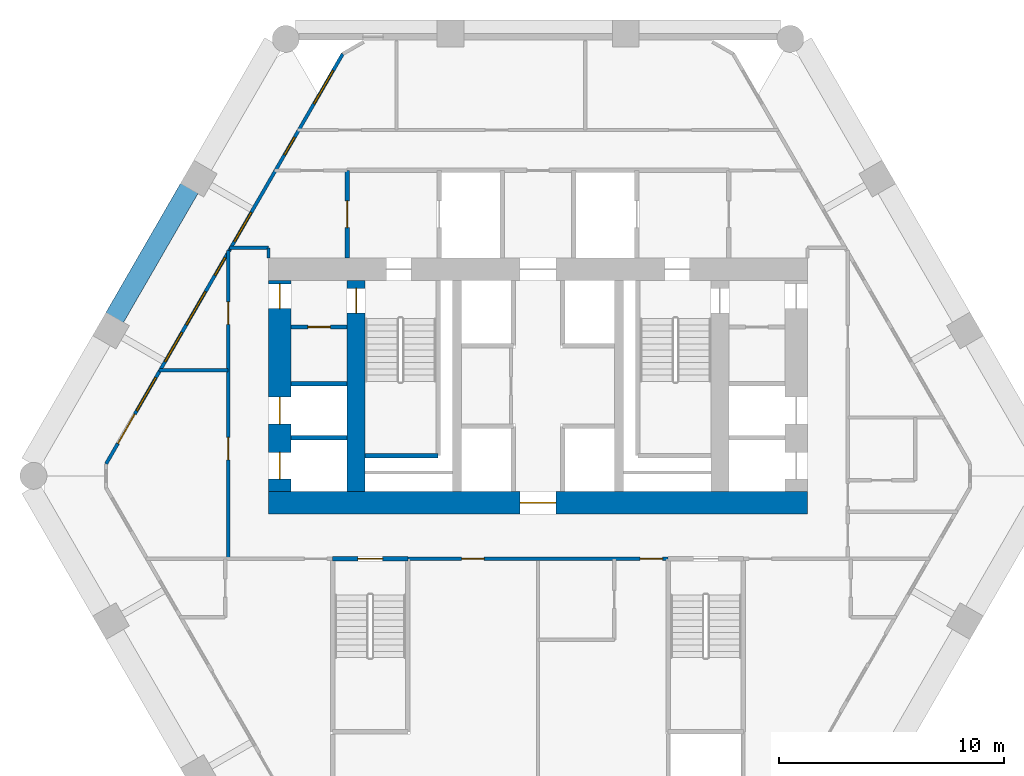
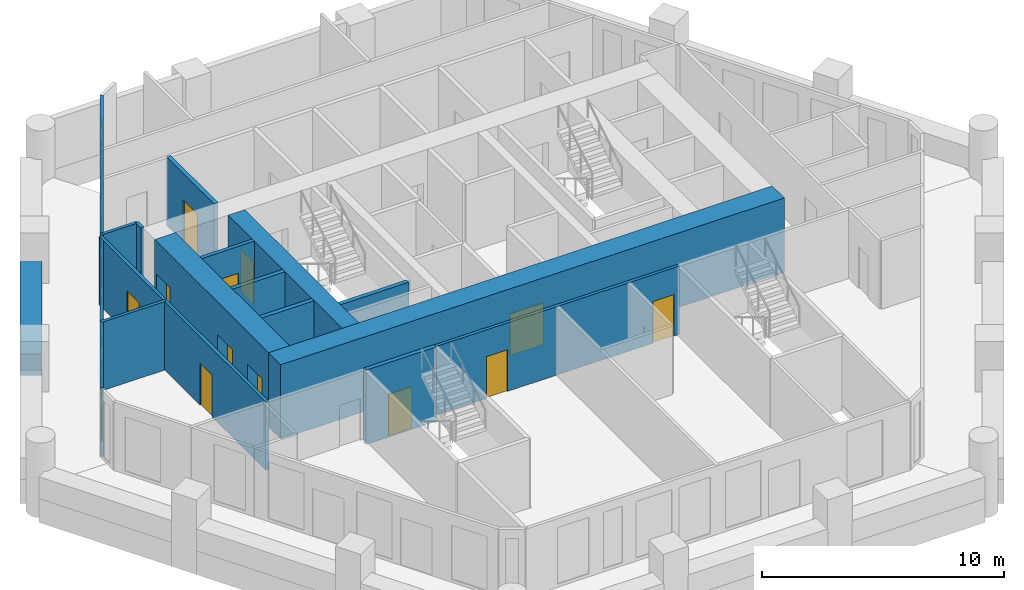
# One storey, part 3 of 7: 16 walls, 13 doors, 7 windows, 20 openings.
"""IFC4 building model written with IfcOpenShell, lengths in metres."""

import ifcopenshell
import ifcopenshell.guid

model = None  # the IFC model being written
_history = None  # IfcOwnerHistory: only IFC2X3 demands one
_inside = {}  # id of a spatial element -> (the spatial element, [elements in it])
_under = {}  # id of a project, library or spatial element -> (it, [spatial elements below it])
_declared = {}  # id of a project -> (the project, [libraries it declares])
_typed = {}  # id of a type object -> (the type object, [elements of that type])
_made_of = {}  # id of a material, layer set ... -> (it, [elements and type objects made of it])


def new_model(schema):
    """Start an empty IFC model of exactly this schema.

    Asked for "IFC4X3", IfcOpenShell would pick the latest addendum, in which some entities
    have other attributes; the version numbers below select the first issue.
    IFC2X3 requires an IfcOwnerHistory on every rooted entity: one is made here for all.
    """
    global model, _history
    if schema == "IFC4X3":
        model = ifcopenshell.file(schema_version=(4, 3, 0, 0))
    else:
        model = ifcopenshell.file(schema=schema)
    _inside.clear()
    _under.clear()
    _declared.clear()
    _typed.clear()
    _made_of.clear()
    _history = None
    if model.schema == "IFC2X3":
        org = make("IfcOrganization", Name="unknown")
        user = make(
            "IfcPersonAndOrganization",
            ThePerson=make("IfcPerson", FamilyName="unknown"),
            TheOrganization=org,
        )
        app = make(
            "IfcApplication",
            ApplicationDeveloper=org,
            Version="unknown",
            ApplicationFullName="unknown",
            ApplicationIdentifier="unknown",
        )
        _history = make(
            "IfcOwnerHistory",
            OwningUser=user,
            OwningApplication=app,
            ChangeAction="ADDED",
            CreationDate=0,
        )
    return model


def make(cls, **values):
    """One entity of the class cls with the attributes given. An attribute that is None is left unset."""
    return model.create_entity(
        cls, **{name: value for name, value in values.items() if value is not None}
    )


def rooted(cls, **values):
    """An entity with a GlobalId (a new one), such as an element, a storey or a relation."""
    return make(cls, GlobalId=ifcopenshell.guid.new(), OwnerHistory=_history, **values)


def si_unit(unit_type, name, prefix=None):
    """IfcSIUnit, for example si_unit("LENGTHUNIT", "METRE", prefix="MILLI")."""
    return make("IfcSIUnit", UnitType=unit_type, Prefix=prefix, Name=name)


def assignment(units):
    """IfcUnitAssignment: the units of a project."""
    return None if units is None else make("IfcUnitAssignment", Units=units)


def point(xyz):
    """IfcCartesianPoint."""
    return None if xyz is None else make("IfcCartesianPoint", Coordinates=xyz)


def direction(xyz):
    """IfcDirection."""
    return None if xyz is None else make("IfcDirection", DirectionRatios=xyz)


def frame(location, z_axis=None, x_axis=None):
    """IfcAxis2Placement3D, a coordinate frame: its origin and axes. An axis left out is left unset."""
    return make(
        "IfcAxis2Placement3D",
        Location=point(location),
        Axis=direction(z_axis),
        RefDirection=direction(x_axis),
    )


def frame_2d(location, x_axis=None):
    """IfcAxis2Placement2D, a coordinate frame in the plane: its origin and x axis."""
    return make(
        "IfcAxis2Placement2D", Location=point(location), RefDirection=direction(x_axis)
    )


def origin():
    """The frame at (0, 0, 0) with its axes left unset."""
    return frame((0.0, 0.0, 0.0))


def place(relative_to, where):
    """IfcLocalPlacement: puts the frame where relative to a parent placement (None: the world)."""
    return make(
        "IfcLocalPlacement", PlacementRelTo=relative_to, RelativePlacement=where
    )


def context(
    kind, dimensions, precision=None, world=None, true_north=None, identifier=None
):
    """IfcGeometricRepresentationContext, for example the 3D "Model" context."""
    return make(
        "IfcGeometricRepresentationContext",
        ContextIdentifier=identifier,
        ContextType=kind,
        CoordinateSpaceDimension=dimensions,
        Precision=precision,
        WorldCoordinateSystem=world,
        TrueNorth=true_north,
    )


def subcontext(parent, identifier, kind, view, scale=None):
    """IfcGeometricRepresentationSubContext, for example "Body" below "Model"."""
    return make(
        "IfcGeometricRepresentationSubContext",
        ContextIdentifier=identifier,
        ContextType=kind,
        ParentContext=parent,
        TargetScale=scale,
        TargetView=view,
    )


def project(units=None, contexts=None):
    """IfcProject with its units and contexts."""
    return rooted(
        "IfcProject",
        Name="project",
        RepresentationContexts=contexts,
        UnitsInContext=assignment(units),
    )


def spatial(cls, under=None, at=None, **own):
    """A site, building, storey or space (cls), placed at a placement, below another one or the project."""
    s = rooted(cls, ObjectPlacement=at, **own)
    if under is not None:
        _under.setdefault(under.id(), (under, []))[1].append(s)
    return s


def profile(cls, at=None, kind="AREA", **sizes):
    """A parametric profile (cls). Its sizes go by their IFC names, for example OverallWidth=200.0."""
    return make(cls, ProfileType=kind, Position=at, **sizes)


def rectangle(**sizes):
    """IfcRectangleProfileDef."""
    return profile("IfcRectangleProfileDef", **sizes)


def extrude(swept, where, along, depth):
    """IfcExtrudedAreaSolid: the profile swept, set in the frame where, extruded along a direction by depth."""
    return make(
        "IfcExtrudedAreaSolid",
        SweptArea=swept,
        Position=where,
        ExtrudedDirection=direction(along),
        Depth=depth,
    )


def shape(context_of_items, identifier, shape_type, items):
    """IfcShapeRepresentation: the items that make up one representation, for example the "Body"."""
    return make(
        "IfcShapeRepresentation",
        ContextOfItems=context_of_items,
        RepresentationIdentifier=identifier,
        RepresentationType=shape_type,
        Items=items,
    )


def material(Name=None, Category=None):
    """IfcMaterial."""
    return make("IfcMaterial", Name=Name, Category=Category)


def layer(
    of_material, thickness, ventilated=None, Name=None, Category=None, Priority=None
):
    """IfcMaterialLayer: one layer of a wall or slab, of a material (None: an air gap)."""
    return make(
        "IfcMaterialLayer",
        Material=of_material,
        LayerThickness=thickness,
        IsVentilated=ventilated,
        Name=Name,
        Category=Category,
        Priority=Priority,
    )


def layer_set(layers, Name=None):
    """IfcMaterialLayerSet."""
    return make("IfcMaterialLayerSet", MaterialLayers=layers, LayerSetName=Name)


def made_of(thing, what):
    """Note that an element or type object is made of a material, layer set ...; save() writes the relation."""
    if what is not None:
        _made_of.setdefault(what.id(), (what, []))[1].append(thing)
    return thing


def type_object(cls, material=None, **own):
    """A type object (cls), such as IfcWallType, which elements share."""
    return made_of(rooted(cls, **own), material)


def element(
    cls,
    number,
    at=None,
    inside=None,
    cuts=None,
    type_object=None,
    material=None,
    context=None,
    identifier="Body",
    shape_type=None,
    held_by="IfcProductDefinitionShape",
    body=None,
    shapes=None,
    **own,
):
    """One element of the class cls, such as IfcWall. Its Tag is "e" and its number.

    at: its placement. inside: the storey or other place that contains it. cuts: it is an
    opening in that element (IfcRelVoidsElement). A single representation is given by context,
    identifier, shape_type and body (its items); several are given by shapes. held_by: the class
    of the entity that holds the representations. save() writes the other relations.
    """
    e = rooted(cls, Tag="e%d" % number, ObjectPlacement=at, **own)
    if body is not None:
        shapes = [shape(context, identifier, shape_type, body)]
    if shapes is not None:
        e.Representation = make(held_by, Representations=shapes)
    if inside is not None:
        _inside.setdefault(inside.id(), (inside, []))[1].append(e)
    if cuts is not None:
        rooted(
            "IfcRelVoidsElement", RelatingBuildingElement=cuts, RelatedOpeningElement=e
        )
    if type_object is not None:
        _typed.setdefault(type_object.id(), (type_object, []))[1].append(e)
    return made_of(e, material)


def fill(opening, filler):
    """IfcRelFillsElement: the door or window that sits in an opening."""
    return rooted(
        "IfcRelFillsElement",
        RelatingOpeningElement=opening,
        RelatedBuildingElement=filler,
    )


def aggregate(whole, parts):
    """IfcRelAggregates: a whole, such as a stair, and the parts it consists of."""
    return rooted("IfcRelAggregates", RelatingObject=whole, RelatedObjects=parts)


def save(model, path):
    """Write the relations noted so far, then the file.

    IfcRelAggregates (storeys below a building ...), IfcRelContainedInSpatialStructure (elements
    in a storey), IfcRelDefinesByType, IfcRelAssociatesMaterial and IfcRelDeclares: one each for
    every whole, place, type object, material and project.
    """
    for whole, parts in _under.values():
        aggregate(whole, parts)
    for where, things in _inside.values():
        rooted(
            "IfcRelContainedInSpatialStructure",
            RelatedElements=things,
            RelatingStructure=where,
        )
    for kind, things in _typed.values():
        rooted("IfcRelDefinesByType", RelatedObjects=things, RelatingType=kind)
    for what, things in _made_of.values():
        rooted("IfcRelAssociatesMaterial", RelatedObjects=things, RelatingMaterial=what)
    for by, libraries in _declared.values():
        rooted("IfcRelDeclares", RelatingContext=by, RelatedDefinitions=libraries)
    model.write(path)


model = new_model("IFC4")

# Units and contexts
model_context = context("Model", 3, precision=1e-05, world=origin(), true_north=direction((0.0, 1.0)))
body_context = subcontext(model_context, "Body", "Model", "MODEL_VIEW")
ifc_project = project(units=[si_unit("LENGTHUNIT", "METRE"), si_unit("AREAUNIT", "SQUARE_METRE"), si_unit("VOLUMEUNIT", "CUBIC_METRE"), si_unit("PLANEANGLEUNIT", "RADIAN"), si_unit("MASSUNIT", "GRAM", prefix="KILO")], contexts=[model_context])

# Site, building, storey
site_placement = place(None, origin())
site = spatial("IfcSite", under=ifc_project, at=site_placement, CompositionType="ELEMENT")
building_placement = place(site_placement, origin())
building = spatial("IfcBuilding", under=site, at=building_placement, Name="Ostrander Bayou Hotel Tower", CompositionType="ELEMENT")
storey_placement = place(building_placement, frame((0.0, 0.0, 89.25)))
storey = spatial("IfcBuildingStorey", under=building, at=storey_placement, Name="L22", CompositionType="ELEMENT", Elevation=89.25)

# Wall, opening, door
ifc_material_1 = material(Name="Concrete f'c 70 MPa", Category="concrete")
ifc_layer_1 = layer(ifc_material_1, 1.0)
ifc_layer_set_1 = layer_set([ifc_layer_1], Name="CW4 core wall 1000 mm f'c 70 MPa")
wall_type_1 = type_object("IfcWallType", Name="CW4 core wall 1000 mm f'c 70 MPa", PredefinedType="SHEAR", material=ifc_layer_set_1)
wall_1_placement = place(storey_placement, frame((-12.0, -1.199951171875, -0.300048828125), z_axis=(0.0, 0.0, 1.0), x_axis=(1.0, 0.0, 0.0)))
wall_1 = element("IfcWall", 1, at=wall_1_placement, inside=storey, type_object=wall_type_1, Name="CW4 L22 S", PredefinedType="SHEAR", context=body_context, shape_type="SweptSolid", body=[
    extrude(rectangle(XDim=24.0, YDim=1.0, at=frame_2d((12.0, 0.0))), origin(), (0.0, 0.0, 1.0), 3.75),
])
opening_1_placement = place(wall_1_placement, frame((11.199951171875, 0.0, 0.0)))
opening_1 = element("IfcOpeningElement", 2, at=opening_1_placement, cuts=wall_1, Name="Opening T21-001", PredefinedType="OPENING", context=body_context, shape_type="SweptSolid", body=[
    extrude(rectangle(XDim=1.60009765625, YDim=2.10009765625, at=frame_2d((0.800048828125, 1.050048828125))), frame((0.0, 0.5, 0.0), z_axis=(0.0, -1.0, 0.0), x_axis=(1.0, 0.0, 0.0)), (0.0, 0.0, 1.0), 1.0),
])
ifc_material_2 = material(Name="Timber door leaf", Category="wood")
door_type_1 = type_object("IfcDoorType", Name="D13 double door 1600 x 2100 mm, 1 hour", OperationType="SINGLE_SWING_LEFT", PredefinedType="DOOR", material=ifc_material_2)
door_1_placement = place(opening_1_placement, origin())
door_1 = element("IfcDoor", 3, at=door_1_placement, inside=storey, type_object=door_type_1, Name="dr:L22:001", OperationType="DOUBLE_DOOR_SINGLE_SWING", OverallHeight=2.10009765625, OverallWidth=1.60009765625, PredefinedType="DOOR", context=body_context, shape_type="SweptSolid", body=[
    extrude(rectangle(XDim=1.60009765625, YDim=2.10009765625, at=frame_2d((0.800048828125, 1.050048828125))), frame((0.0, 0.02490234375, 0.0), z_axis=(0.0, -1.0, 0.0), x_axis=(1.0, 0.0, 0.0)), (0.0, 0.0, 1.0), 0.050048828125),
])
fill(opening_1, door_1)

# Wall, openings, doors
wall_2_placement = place(storey_placement, frame((-11.5, -0.699951171875, -0.300048828125), z_axis=(0.0, 0.0, 1.0), x_axis=(0.0, 1.0, 0.0)))
wall_2 = element("IfcWall", 4, at=wall_2_placement, inside=storey, type_object=wall_type_1, Name="CW4 L22 RW", PredefinedType="SHEAR", context=body_context, shape_type="SweptSolid", body=[
    extrude(rectangle(XDim=9.39990234375, YDim=1.0, at=frame_2d((4.699951171875, 0.0))), origin(), (0.0, 0.0, 1.0), 3.75),
])
opening_2_placement = place(wall_2_placement, frame((8.14990234375, 0.0, 0.0)))
opening_2 = element("IfcOpeningElement", 5, at=opening_2_placement, cuts=wall_2, Name="Opening T21-016", PredefinedType="OPENING", context=body_context, shape_type="SweptSolid", body=[
    extrude(rectangle(XDim=1.10009765625, YDim=2.10009765625, at=frame_2d((0.550048828125, 1.050048828125))), frame((0.0, 0.5, 0.0), z_axis=(0.0, -1.0, 0.0), x_axis=(1.0, 0.0, 0.0)), (0.0, 0.0, 1.0), 1.0),
])
opening_3_placement = place(wall_2_placement, frame((0.550048828125, 0.0, 0.0)))
opening_3 = element("IfcOpeningElement", 6, at=opening_3_placement, cuts=wall_2, Name="Opening T21-017", PredefinedType="OPENING", context=body_context, shape_type="SweptSolid", body=[
    extrude(rectangle(XDim=1.199951171875, YDim=2.10009765625, at=frame_2d((0.60009765625, 1.050048828125))), frame((0.0, 0.5, 0.0), z_axis=(0.0, -1.0, 0.0), x_axis=(1.0, 0.0, 0.0)), (0.0, 0.0, 1.0), 1.0),
])
opening_4_placement = place(wall_2_placement, frame((3.0, 0.0, 0.0)))
opening_4 = element("IfcOpeningElement", 7, at=opening_4_placement, cuts=wall_2, Name="Opening T21-018", PredefinedType="OPENING", context=body_context, shape_type="SweptSolid", body=[
    extrude(rectangle(XDim=1.199951171875, YDim=2.10009765625, at=frame_2d((0.60009765625, 1.050048828125))), frame((0.0, 0.5, 0.0), z_axis=(0.0, -1.0, 0.0), x_axis=(1.0, 0.0, 0.0)), (0.0, 0.0, 1.0), 1.0),
])
ifc_material_3 = material(Name="Timber door leaf", Category="wood")
door_type_2 = type_object("IfcDoorType", Name="D5 stair door 1100 x 2100 mm, 90 minute", OperationType="SINGLE_SWING_LEFT", PredefinedType="DOOR", material=ifc_material_3)
door_2_placement = place(opening_2_placement, origin())
door_2 = element("IfcDoor", 8, at=door_2_placement, inside=storey, type_object=door_type_2, Name="dr:L22:016", OperationType="SINGLE_SWING_LEFT", OverallHeight=2.10009765625, OverallWidth=1.10009765625, PredefinedType="DOOR", context=body_context, shape_type="SweptSolid", body=[
    extrude(rectangle(XDim=1.10009765625, YDim=2.10009765625, at=frame_2d((0.550048828125, 1.050048828125))), frame((0.0, 0.02490234375, 0.0), z_axis=(0.0, -1.0, 0.0), x_axis=(1.0, 0.0, 0.0)), (0.0, 0.0, 1.0), 0.050048828125),
])
fill(opening_2, door_2)
ifc_material_4 = material(Name="Stainless steel sliding door", Category="steel")
door_type_3 = type_object("IfcDoorType", Name="LD1 lift landing door 1200 x 2100 mm", OperationType="SINGLE_SWING_LEFT", PredefinedType="DOOR", material=ifc_material_4)
door_3_placement = place(opening_3_placement, origin())
door_3 = element("IfcDoor", 9, at=door_3_placement, inside=storey, type_object=door_type_3, Name="dr:L22:017", OperationType="SLIDING_TO_LEFT", OverallHeight=2.10009765625, OverallWidth=1.199951171875, PredefinedType="DOOR", context=body_context, shape_type="SweptSolid", body=[
    extrude(rectangle(XDim=1.199951171875, YDim=2.10009765625, at=frame_2d((0.60009765625, 1.050048828125))), frame((0.0, 0.02490234375, 0.0), z_axis=(0.0, -1.0, 0.0), x_axis=(1.0, 0.0, 0.0)), (0.0, 0.0, 1.0), 0.050048828125),
])
fill(opening_3, door_3)
door_4_placement = place(opening_4_placement, origin())
door_4 = element("IfcDoor", 10, at=door_4_placement, inside=storey, type_object=door_type_3, Name="dr:L22:018", OperationType="SLIDING_TO_LEFT", OverallHeight=2.10009765625, OverallWidth=1.199951171875, PredefinedType="DOOR", context=body_context, shape_type="SweptSolid", body=[
    extrude(rectangle(XDim=1.199951171875, YDim=2.10009765625, at=frame_2d((0.60009765625, 1.050048828125))), frame((0.0, 0.02490234375, 0.0), z_axis=(0.0, -1.0, 0.0), x_axis=(1.0, 0.0, 0.0)), (0.0, 0.0, 1.0), 0.050048828125),
])
fill(opening_4, door_4)

# Wall, opening, door
ifc_material_5 = material(Name="Concrete f'c 70 MPa", Category="concrete")
ifc_layer_2 = layer(ifc_material_5, 0.800048828125)
ifc_layer_set_2 = layer_set([ifc_layer_2], Name="CW5 core spine wall 800 mm f'c 70 MPa")
wall_type_2 = type_object("IfcWallType", Name="CW5 core spine wall 800 mm f'c 70 MPa", PredefinedType="SHEAR", material=ifc_layer_set_2)
wall_3_placement = place(storey_placement, frame((-8.10009765625, -0.699951171875, -0.300048828125), z_axis=(0.0, 0.0, 1.0), x_axis=(0.0, 1.0, 0.0)))
wall_3 = element("IfcWall", 11, at=wall_3_placement, inside=storey, type_object=wall_type_2, Name="CW5 L22 W", PredefinedType="SHEAR", context=body_context, shape_type="SweptSolid", body=[
    extrude(rectangle(XDim=9.39990234375, YDim=0.800048828125, at=frame_2d((4.699951171875, 0.0))), origin(), (0.0, 0.0, 1.0), 3.75),
])
opening_5_placement = place(wall_3_placement, frame((7.949951171875, 0.0, 0.0)))
opening_5 = element("IfcOpeningElement", 12, at=opening_5_placement, cuts=wall_3, Name="Opening T21-004", PredefinedType="OPENING", context=body_context, shape_type="SweptSolid", body=[
    extrude(rectangle(XDim=1.10009765625, YDim=2.10009765625, at=frame_2d((0.550048828125, 1.050048828125))), frame((0.0, 0.39990234375, 0.0), z_axis=(0.0, -1.0, 0.0), x_axis=(1.0, 0.0, 0.0)), (0.0, 0.0, 1.0), 0.800048828125),
])
door_5_placement = place(opening_5_placement, origin())
door_5 = element("IfcDoor", 13, at=door_5_placement, inside=storey, type_object=door_type_2, Name="dr:L22:004", OperationType="SINGLE_SWING_RIGHT", OverallHeight=2.10009765625, OverallWidth=1.10009765625, PredefinedType="DOOR", context=body_context, shape_type="SweptSolid", body=[
    extrude(rectangle(XDim=1.10009765625, YDim=2.10009765625, at=frame_2d((0.550048828125, 1.050048828125))), frame((0.0, 0.02490234375, 0.0), z_axis=(0.0, -1.0, 0.0), x_axis=(1.0, 0.0, 0.0)), (0.0, 0.0, 1.0), 0.050048828125),
])
fill(opening_5, door_5)

# Wall, openings, door, windows
ifc_material_6 = material(Name="Aluminium framed insulated wall", Category="aluminium")
ifc_layer_3 = layer(ifc_material_6, 0.14990234375)
ifc_layer_set_3 = layer_set([ifc_layer_3], Name="GW1 glass-line wall 150 mm")
wall_type_3 = type_object("IfcWallType", Name="GW1 glass-line wall 150 mm", PredefinedType="SOLIDWALL", material=ifc_layer_set_3)
wall_4_placement = place(storey_placement, frame((-8.693603515625, 18.79248046875, 0.0), z_axis=(0.0, 0.0, 1.0), x_axis=(-0.49999341138, -0.866029207692, 0.0)))
wall_4 = element("IfcWall", 14, at=wall_4_placement, inside=storey, type_object=wall_type_3, Name="GW1 L22 NW 1", PredefinedType="SOLIDWALL", context=body_context, shape_type="SweptSolid", body=[
    extrude(rectangle(XDim=21.084716796875, YDim=0.14990234375, at=frame_2d((10.54248046875, 0.0))), origin(), (0.0, 0.0, 1.0), 3.449951171875),
])
opening_6_placement = place(wall_4_placement, frame((4.293212890625, 0.0, 0.14990234375)))
opening_6 = element("IfcOpeningElement", 15, at=opening_6_placement, cuts=wall_4, Name="Opening W16", PredefinedType="OPENING", context=body_context, shape_type="SweptSolid", body=[
    extrude(rectangle(XDim=0.89990234375, YDim=2.85009765625, at=frame_2d((0.449951171875, 1.425048828125))), frame((0.0, 0.074951171875, 0.0), z_axis=(0.0, -1.0, 0.0), x_axis=(1.0, 0.0, 0.0)), (0.0, 0.0, 1.0), 0.14990234375),
])
opening_7_placement = place(wall_4_placement, frame((10.48486328125, 0.0, 0.14990234375)))
opening_7 = element("IfcOpeningElement", 16, at=opening_7_placement, cuts=wall_4, Name="Opening W16", PredefinedType="OPENING", context=body_context, shape_type="SweptSolid", body=[
    extrude(rectangle(XDim=0.89990234375, YDim=2.85009765625, at=frame_2d((0.449951171875, 1.425048828125))), frame((0.0, 0.074951171875, 0.0), z_axis=(0.0, -1.0, 0.0), x_axis=(1.0, 0.0, 0.0)), (0.0, 0.0, 1.0), 0.14990234375),
])
opening_8_placement = place(wall_4_placement, frame((8.155517578125, 0.0, 0.14990234375)))
opening_8 = element("IfcOpeningElement", 17, at=opening_8_placement, cuts=wall_4, Name="Opening W12", PredefinedType="OPENING", context=body_context, shape_type="SweptSolid", body=[
    extrude(rectangle(XDim=1.5, YDim=2.85009765625, at=frame_2d((0.75, 1.425048828125))), frame((0.0, 0.074951171875, 0.0), z_axis=(0.0, -1.0, 0.0), x_axis=(1.0, 0.0, 0.0)), (0.0, 0.0, 1.0), 0.14990234375),
])
opening_9_placement = place(wall_4_placement, frame((12.22802734375, 0.0, 0.14990234375)))
opening_9 = element("IfcOpeningElement", 18, at=opening_9_placement, cuts=wall_4, Name="Opening W2", PredefinedType="OPENING", context=body_context, shape_type="SweptSolid", body=[
    extrude(rectangle(XDim=1.699951171875, YDim=2.85009765625, at=frame_2d((0.85009765625, 1.425048828125))), frame((0.0, 0.074951171875, 0.0), z_axis=(0.0, -1.0, 0.0), x_axis=(1.0, 0.0, 0.0)), (0.0, 0.0, 1.0), 0.14990234375),
])
opening_10_placement = place(wall_4_placement, frame((14.328125, 0.0, 0.14990234375)))
opening_10 = element("IfcOpeningElement", 19, at=opening_10_placement, cuts=wall_4, Name="Opening W12", PredefinedType="OPENING", context=body_context, shape_type="SweptSolid", body=[
    extrude(rectangle(XDim=1.5, YDim=2.85009765625, at=frame_2d((0.75, 1.425048828125))), frame((0.0, 0.074951171875, 0.0), z_axis=(0.0, -1.0, 0.0), x_axis=(1.0, 0.0, 0.0)), (0.0, 0.0, 1.0), 0.14990234375),
])
opening_11_placement = place(wall_4_placement, frame((16.648681640625, 0.0, 0.14990234375)))
opening_11 = element("IfcOpeningElement", 20, at=opening_11_placement, cuts=wall_4, Name="Opening W2", PredefinedType="OPENING", context=body_context, shape_type="SweptSolid", body=[
    extrude(rectangle(XDim=1.699951171875, YDim=2.85009765625, at=frame_2d((0.85009765625, 1.425048828125))), frame((0.0, 0.074951171875, 0.0), z_axis=(0.0, -1.0, 0.0), x_axis=(1.0, 0.0, 0.0)), (0.0, 0.0, 1.0), 0.14990234375),
])
opening_12_placement = place(wall_4_placement, frame((18.528076171875, 0.0, 0.0)))
opening_12 = element("IfcOpeningElement", 21, at=opening_12_placement, cuts=wall_4, Name="Opening T21-800", PredefinedType="OPENING", context=body_context, shape_type="SweptSolid", body=[
    extrude(rectangle(XDim=1.5, YDim=2.39990234375, at=frame_2d((0.75, 1.199951171875))), frame((0.0, 0.074951171875, 0.0), z_axis=(0.0, -1.0, 0.0), x_axis=(1.0, 0.0, 0.0)), (0.0, 0.0, 1.0), 0.14990234375),
])
opening_13_placement = place(wall_4_placement, frame((0.864013671875, 0.0, 0.14990234375)))
opening_13 = element("IfcOpeningElement", 22, at=opening_13_placement, cuts=wall_4, Name="Opening W2", PredefinedType="OPENING", context=body_context, shape_type="SweptSolid", body=[
    extrude(rectangle(XDim=1.699951171875, YDim=2.72998046875, at=frame_2d((0.85009765625, 1.364990234375))), frame((0.0, 0.074951171875, 0.0), z_axis=(0.0, -1.0, 0.0), x_axis=(1.0, 0.0, 0.0)), (0.0, 0.0, 1.0), 0.14990234375),
])
ifc_material_7 = material(Name="Aluminium and clear glass", Category="aluminium")
door_type_4 = type_object("IfcDoorType", Name="SD2 sliding glass door 1500 mm, zone 2", OperationType="SLIDING_TO_LEFT", PredefinedType="DOOR", material=ifc_material_7)
door_6_placement = place(opening_12_placement, origin())
door_6 = element("IfcDoor", 23, at=door_6_placement, inside=storey, type_object=door_type_4, Name="SD2 L22 NW 4", OperationType="SLIDING_TO_RIGHT", OverallHeight=2.39990234375, OverallWidth=1.5, PredefinedType="DOOR", context=body_context, shape_type="SweptSolid", body=[
    extrude(rectangle(XDim=1.5, YDim=2.39990234375, at=frame_2d((0.75, 1.199951171875))), frame((0.0, 0.02490234375, 0.0), z_axis=(0.0, -1.0, 0.0), x_axis=(1.0, 0.0, 0.0)), (0.0, 0.0, 1.0), 0.050048828125),
])
fill(opening_12, door_6)
ifc_material_8 = material(Name="Aluminium and clear glass", Category="aluminium")
window_type_1 = type_object("IfcWindowType", Name="W12 fixed window 1500 mm, bath bay, zone 2", PartitioningType="SINGLE_PANEL", PredefinedType="WINDOW", material=ifc_material_8)
window_1_placement = place(opening_8_placement, origin())
window_1 = element("IfcWindow", 24, at=window_1_placement, inside=storey, type_object=window_type_1, Name="W12 L22 NW 2", OverallHeight=2.85009765625, OverallWidth=1.5, PartitioningType="SINGLE_PANEL", PredefinedType="WINDOW", context=body_context, shape_type="SweptSolid", body=[
    extrude(rectangle(XDim=1.5, YDim=2.85009765625, at=frame_2d((0.75, 1.425048828125))), frame((0.0, 0.030029296875, 0.0), z_axis=(0.0, -1.0, 0.0), x_axis=(1.0, 0.0, 0.0)), (0.0, 0.0, 1.0), 0.06005859375),
])
fill(opening_8, window_1)
window_2_placement = place(opening_10_placement, origin())
window_2 = element("IfcWindow", 25, at=window_2_placement, inside=storey, type_object=window_type_1, Name="W12 L22 NW 3", OverallHeight=2.85009765625, OverallWidth=1.5, PartitioningType="SINGLE_PANEL", PredefinedType="WINDOW", context=body_context, shape_type="SweptSolid", body=[
    extrude(rectangle(XDim=1.5, YDim=2.85009765625, at=frame_2d((0.75, 1.425048828125))), frame((0.0, 0.030029296875, 0.0), z_axis=(0.0, -1.0, 0.0), x_axis=(1.0, 0.0, 0.0)), (0.0, 0.0, 1.0), 0.06005859375),
])
fill(opening_10, window_2)
ifc_material_9 = material(Name="Aluminium and clear glass", Category="aluminium")
window_type_2 = type_object("IfcWindowType", Name="W16 window 900 mm, zone 2", PartitioningType="SINGLE_PANEL", PredefinedType="WINDOW", material=ifc_material_9)
window_3_placement = place(opening_6_placement, origin())
window_3 = element("IfcWindow", 26, at=window_3_placement, inside=storey, type_object=window_type_2, Name="W16 L22 NW 1", OverallHeight=2.85009765625, OverallWidth=0.89990234375, PartitioningType="SINGLE_PANEL", PredefinedType="WINDOW", context=body_context, shape_type="SweptSolid", body=[
    extrude(rectangle(XDim=0.89990234375, YDim=2.85009765625, at=frame_2d((0.449951171875, 1.425048828125))), frame((0.0, 0.030029296875, 0.0), z_axis=(0.0, -1.0, 0.0), x_axis=(1.0, 0.0, 0.0)), (0.0, 0.0, 1.0), 0.06005859375),
])
fill(opening_6, window_3)
window_4_placement = place(opening_7_placement, origin())
window_4 = element("IfcWindow", 27, at=window_4_placement, inside=storey, type_object=window_type_2, Name="W16 L22 NW 2", OverallHeight=2.85009765625, OverallWidth=0.89990234375, PartitioningType="SINGLE_PANEL", PredefinedType="WINDOW", context=body_context, shape_type="SweptSolid", body=[
    extrude(rectangle(XDim=0.89990234375, YDim=2.85009765625, at=frame_2d((0.449951171875, 1.425048828125))), frame((0.0, 0.030029296875, 0.0), z_axis=(0.0, -1.0, 0.0), x_axis=(1.0, 0.0, 0.0)), (0.0, 0.0, 1.0), 0.06005859375),
])
fill(opening_7, window_4)
ifc_material_10 = material(Name="Aluminium and clear glass", Category="aluminium")
window_type_3 = type_object("IfcWindowType", Name="W2 fixed window 1700 mm, zone 2", PartitioningType="SINGLE_PANEL", PredefinedType="WINDOW", material=ifc_material_10)
window_5_placement = place(opening_9_placement, origin())
window_5 = element("IfcWindow", 28, at=window_5_placement, inside=storey, type_object=window_type_3, Name="W2 L22 NW 3", OverallHeight=2.85009765625, OverallWidth=1.699951171875, PartitioningType="SINGLE_PANEL", PredefinedType="WINDOW", context=body_context, shape_type="SweptSolid", body=[
    extrude(rectangle(XDim=1.699951171875, YDim=2.85009765625, at=frame_2d((0.85009765625, 1.425048828125))), frame((0.0, 0.030029296875, 0.0), z_axis=(0.0, -1.0, 0.0), x_axis=(1.0, 0.0, 0.0)), (0.0, 0.0, 1.0), 0.06005859375),
])
fill(opening_9, window_5)
window_6_placement = place(opening_11_placement, origin())
window_6 = element("IfcWindow", 29, at=window_6_placement, inside=storey, type_object=window_type_3, Name="W2 L22 NW 4", OverallHeight=2.85009765625, OverallWidth=1.699951171875, PartitioningType="SINGLE_PANEL", PredefinedType="WINDOW", context=body_context, shape_type="SweptSolid", body=[
    extrude(rectangle(XDim=1.699951171875, YDim=2.85009765625, at=frame_2d((0.85009765625, 1.425048828125))), frame((0.0, 0.030029296875, 0.0), z_axis=(0.0, -1.0, 0.0), x_axis=(1.0, 0.0, 0.0)), (0.0, 0.0, 1.0), 0.06005859375),
])
fill(opening_11, window_6)
window_7_placement = place(opening_13_placement, origin())
window_7 = element("IfcWindow", 30, at=window_7_placement, inside=storey, type_object=window_type_3, Name="W2 L22 NW E11", OverallHeight=2.72998046875, OverallWidth=1.699951171875, PartitioningType="SINGLE_PANEL", PredefinedType="WINDOW", context=body_context, shape_type="SweptSolid", body=[
    extrude(rectangle(XDim=1.699951171875, YDim=2.72998046875, at=frame_2d((0.85009765625, 1.364990234375))), frame((0.0, 0.030029296875, 0.0), z_axis=(0.0, -1.0, 0.0), x_axis=(1.0, 0.0, 0.0)), (0.0, 0.0, 1.0), 0.06005859375),
])
fill(opening_13, window_7)

# Wall
ifc_material_11 = material(Name="Concrete f'c 40 MPa", Category="concrete")
ifc_layer_4 = layer(ifc_material_11, 0.89990234375)
ifc_layer_set_4 = layer_set([ifc_layer_4], Name="PA1 stone-faced parapet 900 mm")
wall_type_4 = type_object("IfcWallType", Name="PA1 stone-faced parapet 900 mm", PredefinedType="PARAPET", material=ifc_layer_set_4)
wall_5_placement = place(storey_placement, frame((-15.522216796875, 12.814697265625, 0.0), z_axis=(0.0, 0.0, 1.0), x_axis=(-0.499999023957, -0.866025967302, 0.0)))
element("IfcWall", 31, at=wall_5_placement, inside=storey, type_object=wall_type_4, Name="PA1 L22 NW-2", PredefinedType="PARAPET", context=body_context, shape_type="SweptSolid", body=[
    extrude(rectangle(XDim=6.67333984375, YDim=0.89990234375, at=frame_2d((3.336669921875, 0.0))), origin(), (0.0, 0.0, 1.0), 1.10009765625),
])

# Wall, opening, door
ifc_material_12 = material(Name="Gypsum board partition", Category="finish")
ifc_layer_5 = layer(ifc_material_12, 0.175048828125)
ifc_layer_set_5 = layer_set([ifc_layer_5], Name="PT4 corridor wall 175 mm, 1 hour")
wall_type_5 = type_object("IfcWallType", Name="PT4 corridor wall 175 mm, 1 hour", PredefinedType="PARTITIONING", material=ifc_layer_set_5)
wall_6_placement = place(storey_placement, frame((-11.0, 6.6298828125, 0.0), z_axis=(0.0, 0.0, 1.0), x_axis=(1.0, 0.0, 0.0)))
wall_6 = element("IfcWall", 32, at=wall_6_placement, inside=storey, type_object=wall_type_5, Name="cs:L22:035", PredefinedType="PARTITIONING", context=body_context, shape_type="SweptSolid", body=[
    extrude(rectangle(XDim=2.5, YDim=0.175048828125, at=frame_2d((1.25, 0.0))), origin(), (0.0, 0.0, 1.0), 3.449951171875),
])
opening_14_placement = place(wall_6_placement, frame((0.75, 0.0, 0.0)))
opening_14 = element("IfcOpeningElement", 33, at=opening_14_placement, cuts=wall_6, Name="Opening T21-015", PredefinedType="OPENING", context=body_context, shape_type="SweptSolid", body=[
    extrude(rectangle(XDim=1.0, YDim=2.10009765625, at=frame_2d((0.5, 1.050048828125))), frame((0.0, 0.08740234375, 0.0), z_axis=(0.0, -1.0, 0.0), x_axis=(1.0, 0.0, 0.0)), (0.0, 0.0, 1.0), 0.175048828125),
])
ifc_material_13 = material(Name="Timber door leaf", Category="wood")
door_type_5 = type_object("IfcDoorType", Name="D4 corridor door 1000 x 2100 mm, 1 hour", OperationType="SINGLE_SWING_LEFT", PredefinedType="DOOR", material=ifc_material_13)
door_7_placement = place(opening_14_placement, origin())
door_7 = element("IfcDoor", 34, at=door_7_placement, inside=storey, type_object=door_type_5, Name="dr:L22:015", OperationType="SINGLE_SWING_LEFT", OverallHeight=2.10009765625, OverallWidth=1.0, PredefinedType="DOOR", context=body_context, shape_type="SweptSolid", body=[
    extrude(rectangle(XDim=1.0, YDim=2.10009765625, at=frame_2d((0.5, 1.050048828125))), frame((0.0, 0.02490234375, 0.0), z_axis=(0.0, -1.0, 0.0), x_axis=(1.0, 0.0, 0.0)), (0.0, 0.0, 1.0), 0.050048828125),
])
fill(opening_14, door_7)

ifc_material_14 = material(Name="Masonry block", Category="masonry")
ifc_layer_6 = layer(ifc_material_14, 0.199951171875)
ifc_layer_set_6 = layer_set([ifc_layer_6], Name="PT5 stair enclosure wall 200 mm masonry, 2 hour")
wall_type_6 = type_object("IfcWallType", Name="PT5 stair enclosure wall 200 mm masonry, 2 hour", PredefinedType="PARTITIONING", material=ifc_layer_set_6)
wall_7_placement = place(storey_placement, frame((-8.5, 9.699951171875, 0.0), z_axis=(0.0, 0.0, 1.0), x_axis=(0.0, 1.0, 0.0)))
wall_7 = element("IfcWall", 35, at=wall_7_placement, inside=storey, type_object=wall_type_6, Name="cs:L22:026", PredefinedType="PARTITIONING", context=body_context, shape_type="SweptSolid", body=[
    extrude(rectangle(XDim=3.900146484375, YDim=0.199951171875, at=frame_2d((1.9501953125, 0.0))), origin(), (0.0, 0.0, 1.0), 3.449951171875),
])
opening_15_placement = place(wall_7_placement, frame((1.35009765625, 0.0, 0.0)))
opening_15 = element("IfcOpeningElement", 36, at=opening_15_placement, cuts=wall_7, Name="Opening T21-010", PredefinedType="OPENING", context=body_context, shape_type="SweptSolid", body=[
    extrude(rectangle(XDim=1.199951171875, YDim=2.10009765625, at=frame_2d((0.60009765625, 1.050048828125))), frame((0.0, 0.10009765625, 0.0), z_axis=(0.0, -1.0, 0.0), x_axis=(1.0, 0.0, 0.0)), (0.0, 0.0, 1.0), 0.199951171875),
])
ifc_material_15 = material(Name="Timber door leaf", Category="wood")
door_type_6 = type_object("IfcDoorType", Name="D7 lobby door 1200 x 2100 mm, 1 hour", OperationType="SINGLE_SWING_LEFT", PredefinedType="DOOR", material=ifc_material_15)
door_8_placement = place(opening_15_placement, origin())
door_8 = element("IfcDoor", 37, at=door_8_placement, inside=storey, type_object=door_type_6, Name="dr:L22:010", OperationType="SINGLE_SWING_LEFT", OverallHeight=2.10009765625, OverallWidth=1.199951171875, PredefinedType="DOOR", context=body_context, shape_type="SweptSolid", body=[
    extrude(rectangle(XDim=1.199951171875, YDim=2.10009765625, at=frame_2d((0.60009765625, 1.050048828125))), frame((0.0, 0.02490234375, 0.0), z_axis=(0.0, -1.0, 0.0), x_axis=(1.0, 0.0, 0.0)), (0.0, 0.0, 1.0), 0.050048828125),
])
fill(opening_15, door_8)

# Walls
ifc_material_16 = material(Name="Masonry block", Category="masonry")
ifc_layer_7 = layer(ifc_material_16, 0.199951171875)
ifc_layer_set_7 = layer_set([ifc_layer_7], Name="PT6 lift shaft wall 200 mm masonry, 2 hour")
wall_type_7 = type_object("IfcWallType", Name="PT6 lift shaft wall 200 mm masonry, 2 hour", PredefinedType="PARTITIONING", material=ifc_layer_set_7)
for number, where, z_axis, x_axis, name in (
    (38, (-11.0, 1.699951171875, 0.0), (0.0, 0.0, 1.0), (1.0, 0.0, 0.0), "cs:L22:033"),
    (39, (-11.0, 4.10009765625, 0.0), (0.0, 0.0, 1.0), (1.0, 0.0, 0.0), "cs:L22:034"),
):
    element("IfcWall", number, at=place(storey_placement, frame(where, z_axis=z_axis, x_axis=x_axis)), inside=storey, type_object=wall_type_7, Name=name, PredefinedType="PARTITIONING", context=body_context, shape_type="SweptSolid", body=[
        extrude(rectangle(XDim=2.5, YDim=0.199951171875, at=frame_2d((1.25, 0.0))), origin(), (0.0, 0.0, 1.0), 3.449951171875),
    ])

# Wall, openings, doors
ifc_material_17 = material(Name="Gypsum board partition", Category="finish")
ifc_layer_8 = layer(ifc_material_17, 0.14990234375)
ifc_layer_set_8 = layer_set([ifc_layer_8], Name="PT8 service band wall 150 mm, 1 hour")
wall_type_8 = type_object("IfcWallType", Name="PT8 service band wall 150 mm, 1 hour", PredefinedType="PARTITIONING", material=ifc_layer_set_8)
wall_8_placement = place(storey_placement, frame((-5.7900390625, -3.699951171875, 0.0), z_axis=(0.0, 0.0, 1.0), x_axis=(1.0, 0.0, 0.0)))
wall_8 = element("IfcWall", 40, at=wall_8_placement, inside=storey, type_object=wall_type_8, Name="gw:L22:005", PredefinedType="PARTITIONING", context=body_context, shape_type="SweptSolid", body=[
    extrude(rectangle(XDim=11.580078125, YDim=0.14990234375, at=frame_2d((5.7900390625, 0.0))), origin(), (0.0, 0.0, 1.0), 3.449951171875),
])
opening_16_placement = place(wall_8_placement, frame((2.389892578125, 0.0, 0.0)))
opening_16 = element("IfcOpeningElement", 41, at=opening_16_placement, cuts=wall_8, Name="Opening T21-400", PredefinedType="OPENING", context=body_context, shape_type="SweptSolid", body=[
    extrude(rectangle(XDim=1.0, YDim=2.10009765625, at=frame_2d((0.5, 1.050048828125))), frame((0.0, 0.074951171875, 0.0), z_axis=(0.0, -1.0, 0.0), x_axis=(1.0, 0.0, 0.0)), (0.0, 0.0, 1.0), 0.14990234375),
])
opening_17_placement = place(wall_8_placement, frame((10.340087890625, 0.0, 0.0)))
opening_17 = element("IfcOpeningElement", 42, at=opening_17_placement, cuts=wall_8, Name="Opening T21-403", PredefinedType="OPENING", context=body_context, shape_type="SweptSolid", body=[
    extrude(rectangle(XDim=1.0, YDim=2.10009765625, at=frame_2d((0.5, 1.050048828125))), frame((0.0, 0.074951171875, 0.0), z_axis=(0.0, -1.0, 0.0), x_axis=(1.0, 0.0, 0.0)), (0.0, 0.0, 1.0), 0.14990234375),
])
ifc_material_18 = material(Name="Timber door leaf", Category="wood")
door_type_7 = type_object("IfcDoorType", Name="D1 guest room door 1000 x 2100 mm, 30 minute", OperationType="SINGLE_SWING_LEFT", PredefinedType="DOOR", material=ifc_material_18)
door_9_placement = place(opening_17_placement, origin())
door_9 = element("IfcDoor", 43, at=door_9_placement, inside=storey, type_object=door_type_7, Name="dr:L22:403", OperationType="SINGLE_SWING_RIGHT", OverallHeight=2.10009765625, OverallWidth=1.0, PredefinedType="DOOR", context=body_context, shape_type="SweptSolid", body=[
    extrude(rectangle(XDim=1.0, YDim=2.10009765625, at=frame_2d((0.5, 1.050048828125))), frame((0.0, 0.02490234375, 0.0), z_axis=(0.0, -1.0, 0.0), x_axis=(1.0, 0.0, 0.0)), (0.0, 0.0, 1.0), 0.050048828125),
])
fill(opening_17, door_9)
ifc_material_19 = material(Name="Timber door leaf", Category="wood")
door_type_8 = type_object("IfcDoorType", Name="D9 service door 1000 x 2100 mm, 30 minute", OperationType="SINGLE_SWING_LEFT", PredefinedType="DOOR", material=ifc_material_19)
door_10_placement = place(opening_16_placement, origin())
door_10 = element("IfcDoor", 44, at=door_10_placement, inside=storey, type_object=door_type_8, Name="dr:L22:400", OperationType="SINGLE_SWING_RIGHT", OverallHeight=2.10009765625, OverallWidth=1.0, PredefinedType="DOOR", context=body_context, shape_type="SweptSolid", body=[
    extrude(rectangle(XDim=1.0, YDim=2.10009765625, at=frame_2d((0.5, 1.050048828125))), frame((0.0, 0.02490234375, 0.0), z_axis=(0.0, -1.0, 0.0), x_axis=(1.0, 0.0, 0.0)), (0.0, 0.0, 1.0), 0.050048828125),
])
fill(opening_16, door_10)

# Walls
wall_9_placement = place(storey_placement, frame((-16.882080078125, 4.699951171875, 0.0), z_axis=(0.0, 0.0, 1.0), x_axis=(1.0, 0.0, 0.0)))
element("IfcWall", 45, at=wall_9_placement, inside=storey, type_object=wall_type_8, Name="gw:L22:010", PredefinedType="PARTITIONING", context=body_context, shape_type="SweptSolid", body=[
    extrude(rectangle(XDim=3.08203125, YDim=0.14990234375, at=frame_2d((1.541015625, 0.0))), origin(), (0.0, 0.0, 1.0), 3.449951171875),
])
wall_10_placement = place(storey_placement, frame((-13.735107421875, 10.14990234375, 0.0), z_axis=(0.0, 0.0, 1.0), x_axis=(1.0, 0.0, 0.0)))
element("IfcWall", 46, at=wall_10_placement, inside=storey, type_object=wall_type_8, Name="gw:L22:011", PredefinedType="PARTITIONING", context=body_context, shape_type="SweptSolid", body=[
    extrude(rectangle(XDim=1.735107421875, YDim=0.14990234375, at=frame_2d((0.86767578125, 0.0))), origin(), (0.0, 0.0, 1.0), 3.449951171875),
])
wall_11_placement = place(storey_placement, frame((-12.0, 9.7099609375, 0.0), z_axis=(0.0, 0.0, 1.0), x_axis=(0.0, 1.0, 0.0)))
element("IfcWall", 47, at=wall_11_placement, inside=storey, type_object=wall_type_8, Name="gw:L22:027", PredefinedType="PARTITIONING", context=body_context, shape_type="SweptSolid", body=[
    extrude(rectangle(XDim=0.43994140625, YDim=0.14990234375, at=frame_2d((0.219970703125, 0.0))), origin(), (0.0, 0.0, 1.0), 3.449951171875),
])

# Wall, openings, doors
wall_12_placement = place(storey_placement, frame((-13.800048828125, -3.699951171875, 0.0), z_axis=(0.0, 0.0, 1.0), x_axis=(0.0, 1.0, 0.0)))
wall_12 = element("IfcWall", 48, at=wall_12_placement, inside=storey, type_object=wall_type_8, Name="gw:L22:028", PredefinedType="PARTITIONING", context=body_context, shape_type="SweptSolid", body=[
    extrude(rectangle(XDim=13.738037109375, YDim=0.14990234375, at=frame_2d((6.869140625, 0.0))), origin(), (0.0, 0.0, 1.0), 3.449951171875),
])
opening_18_placement = place(wall_12_placement, frame((4.412109375, 0.0, 0.0)))
opening_18 = element("IfcOpeningElement", 49, at=opening_18_placement, cuts=wall_12, Name="Opening T21-407", PredefinedType="OPENING", context=body_context, shape_type="SweptSolid", body=[
    extrude(rectangle(XDim=1.0, YDim=2.10009765625, at=frame_2d((0.5, 1.050048828125))), frame((0.0, 0.074951171875, 0.0), z_axis=(0.0, -1.0, 0.0), x_axis=(1.0, 0.0, 0.0)), (0.0, 0.0, 1.0), 0.14990234375),
])
opening_19_placement = place(wall_12_placement, frame((10.449951171875, 0.0, 0.0)))
opening_19 = element("IfcOpeningElement", 50, at=opening_19_placement, cuts=wall_12, Name="Opening T21-408", PredefinedType="OPENING", context=body_context, shape_type="SweptSolid", body=[
    extrude(rectangle(XDim=1.0, YDim=2.10009765625, at=frame_2d((0.5, 1.050048828125))), frame((0.0, 0.074951171875, 0.0), z_axis=(0.0, -1.0, 0.0), x_axis=(1.0, 0.0, 0.0)), (0.0, 0.0, 1.0), 0.14990234375),
])
ifc_material_20 = material(Name="Timber door leaf", Category="wood")
door_type_9 = type_object("IfcDoorType", Name="D15 room door 1000 x 2100 mm", OperationType="SINGLE_SWING_LEFT", PredefinedType="DOOR", material=ifc_material_20)
door_11_placement = place(opening_18_placement, origin())
door_11 = element("IfcDoor", 51, at=door_11_placement, inside=storey, type_object=door_type_9, Name="dr:L22:407", OperationType="SINGLE_SWING_LEFT", OverallHeight=2.10009765625, OverallWidth=1.0, PredefinedType="DOOR", context=body_context, shape_type="SweptSolid", body=[
    extrude(rectangle(XDim=1.0, YDim=2.10009765625, at=frame_2d((0.5, 1.050048828125))), frame((0.0, 0.02490234375, 0.0), z_axis=(0.0, -1.0, 0.0), x_axis=(1.0, 0.0, 0.0)), (0.0, 0.0, 1.0), 0.050048828125),
])
fill(opening_18, door_11)
door_12_placement = place(opening_19_placement, origin())
door_12 = element("IfcDoor", 52, at=door_12_placement, inside=storey, type_object=door_type_8, Name="dr:L22:408", OperationType="SINGLE_SWING_LEFT", OverallHeight=2.10009765625, OverallWidth=1.0, PredefinedType="DOOR", context=body_context, shape_type="SweptSolid", body=[
    extrude(rectangle(XDim=1.0, YDim=2.10009765625, at=frame_2d((0.5, 1.050048828125))), frame((0.0, 0.02490234375, 0.0), z_axis=(0.0, -1.0, 0.0), x_axis=(1.0, 0.0, 0.0)), (0.0, 0.0, 1.0), 0.050048828125),
])
fill(opening_19, door_12)

# Wall
ifc_material_21 = material(Name="Concrete f'c 45 MPa", Category="concrete")
ifc_layer_9 = layer(ifc_material_21, 0.199951171875)
ifc_layer_set_9 = layer_set([ifc_layer_9], Name="SW5 stair enclosure wall 200 mm f'c 45 MPa")
wall_type_9 = type_object("IfcWallType", Name="SW5 stair enclosure wall 200 mm f'c 45 MPa", PredefinedType="SOLIDWALL", material=ifc_layer_set_9)
wall_13_placement = place(storey_placement, frame((-7.699951171875, 0.89990234375, -0.300048828125), z_axis=(0.0, 0.0, 1.0), x_axis=(1.0, 0.0, 0.0)))
element("IfcWall", 53, at=wall_13_placement, inside=storey, type_object=wall_type_9, Name="cs:L22:010", PredefinedType="SOLIDWALL", context=body_context, shape_type="SweptSolid", body=[
    extrude(rectangle(XDim=3.25, YDim=0.199951171875, at=frame_2d((1.625, 0.0))), origin(), (0.0, 0.0, 1.0), 3.75),
])

# Wall, opening, door
wall_14_placement = place(storey_placement, frame((-9.14990234375, -3.699951171875, -0.300048828125), z_axis=(0.0, 0.0, 1.0), x_axis=(1.0, 0.0, 0.0)))
wall_14 = element("IfcWall", 54, at=wall_14_placement, inside=storey, type_object=wall_type_9, Name="cs:L22:021", PredefinedType="SOLIDWALL", context=body_context, shape_type="SweptSolid", body=[
    extrude(rectangle(XDim=3.349853515625, YDim=0.199951171875, at=frame_2d((1.6748046875, 0.0))), origin(), (0.0, 0.0, 1.0), 3.75),
])
opening_20_placement = place(wall_14_placement, frame((1.125, 0.0, 0.0)))
opening_20 = element("IfcOpeningElement", 55, at=opening_20_placement, cuts=wall_14, Name="Opening T21-008", PredefinedType="OPENING", context=body_context, shape_type="SweptSolid", body=[
    extrude(rectangle(XDim=1.10009765625, YDim=2.10009765625, at=frame_2d((0.550048828125, 1.050048828125))), frame((0.0, 0.10009765625, 0.0), z_axis=(0.0, -1.0, 0.0), x_axis=(1.0, 0.0, 0.0)), (0.0, 0.0, 1.0), 0.199951171875),
])
door_13_placement = place(opening_20_placement, origin())
door_13 = element("IfcDoor", 56, at=door_13_placement, inside=storey, type_object=door_type_2, Name="dr:L22:008", OperationType="SINGLE_SWING_LEFT", OverallHeight=2.10009765625, OverallWidth=1.10009765625, PredefinedType="DOOR", context=body_context, shape_type="SweptSolid", body=[
    extrude(rectangle(XDim=1.10009765625, YDim=2.10009765625, at=frame_2d((0.550048828125, 1.050048828125))), frame((0.0, 0.02490234375, 0.0), z_axis=(0.0, -1.0, 0.0), x_axis=(1.0, 0.0, 0.0)), (0.0, 0.0, 1.0), 0.050048828125),
])
fill(opening_20, door_13)

save(model, "model.ifc")
